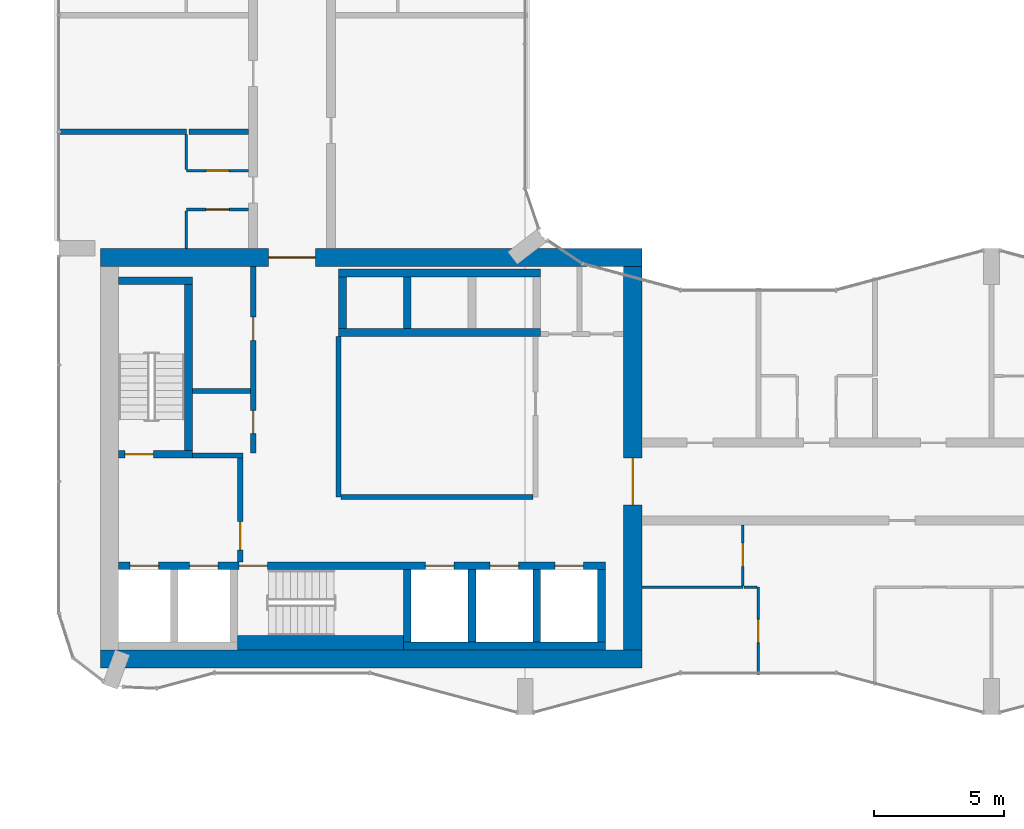
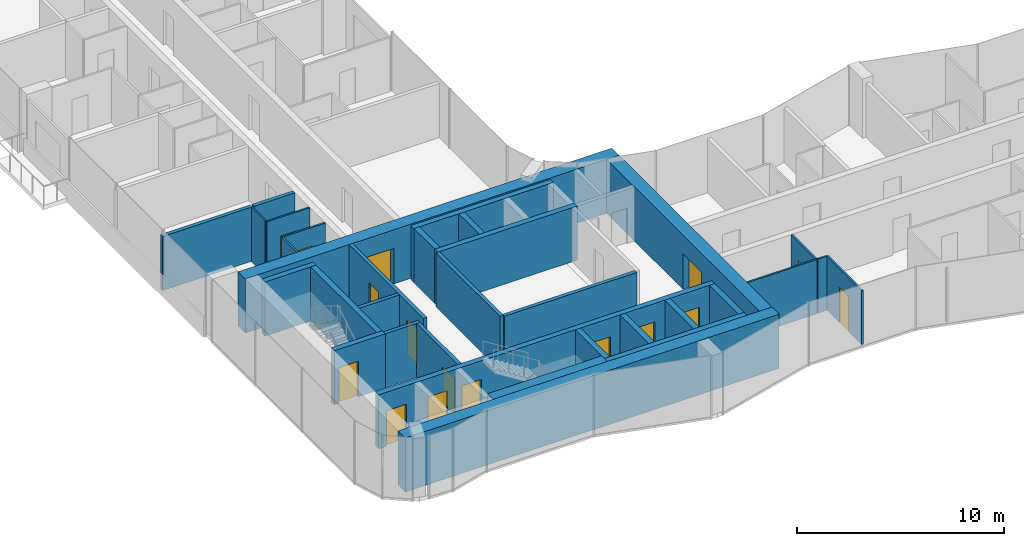
# One storey, part 13 of 22: 33 walls, 16 doors, 16 openings.
"""IFC4 building model written with IfcOpenShell, lengths in metres."""

from ifc_helpers import new_model, si_unit, direction, frame, frame_2d, origin, place, context, subcontext, project, spatial, rectangle, extrude, material, layer, layer_set, type_object, element, fill, save


model = new_model("IFC4")

# Units and contexts
model_context = context("Model", 3, precision=1e-05, world=origin(), true_north=direction((0.0, 1.0)))
body_context = subcontext(model_context, "Body", "Model", "MODEL_VIEW")
ifc_project = project(units=[si_unit("LENGTHUNIT", "METRE"), si_unit("AREAUNIT", "SQUARE_METRE"), si_unit("VOLUMEUNIT", "CUBIC_METRE"), si_unit("PLANEANGLEUNIT", "RADIAN"), si_unit("MASSUNIT", "GRAM", prefix="KILO")], contexts=[model_context])

# Site, building, storey
site_placement = place(None, origin())
site = spatial("IfcSite", under=ifc_project, at=site_placement, CompositionType="ELEMENT")
building_placement = place(site_placement, origin())
building = spatial("IfcBuilding", under=site, at=building_placement, Name="Plateau Cross Towers", CompositionType="ELEMENT")
storey_placement = place(building_placement, frame((0.0, 0.0, 68.800048828125)))
storey = spatial("IfcBuildingStorey", under=building, at=storey_placement, Name="L17", CompositionType="ELEMENT", Elevation=68.800048828125)

# Wall, opening, door
ifc_material_1 = material(Name="Concrete block, plastered both sides", Category="concrete")
ifc_layer_1 = layer(ifc_material_1, 0.199951171875)
ifc_layer_set_1 = layer_set([ifc_layer_1], Name="Concrete block, plastered both sides")
wall_type_1 = type_object("IfcWallType", Name="Core partition 200", PredefinedType="PARTITIONING", material=ifc_layer_set_1)
wall_1_placement = place(storey_placement, frame((7.0, 5.89990234375, 0.0), z_axis=(0.0, 0.0, 1.0), x_axis=(0.0, 1.0, 0.0)))
wall_1 = element("IfcWall", 1, at=wall_1_placement, inside=storey, type_object=wall_type_1, Name="Core partition", PredefinedType="PARTITIONING", context=body_context, shape_type="SweptSolid", body=[
    extrude(rectangle(XDim=4.0, YDim=0.199951171875, at=frame_2d((2.0, 0.0))), origin(), (0.0, 0.0, 1.0), 3.199951171875),
])
opening_1_placement = place(wall_1_placement, frame((0.449951171875, 0.0, 0.0)))
opening_1 = element("IfcOpeningElement", 2, at=opening_1_placement, cuts=wall_1, Name="Opening FFD", PredefinedType="OPENING", context=body_context, shape_type="SweptSolid", body=[
    extrude(rectangle(XDim=1.10009765625, YDim=2.10009765625, at=frame_2d((0.550048828125, 1.050048828125))), frame((0.0, 0.10986328125, 0.0), z_axis=(0.0, -1.0, 0.0), x_axis=(1.0, 0.0, 0.0)), (0.0, 0.0, 1.0), 0.219970703125),
])
ifc_material_2 = material(Name="Steel, fire-resisting leaf", Category="steel")
door_type_1 = type_object("IfcDoorType", Name="Firefighting lobby door 1100", OperationType="NOTDEFINED", PredefinedType="DOOR", material=ifc_material_2)
door_1_placement = place(opening_1_placement, origin())
door_1 = element("IfcDoor", 3, at=door_1_placement, inside=storey, type_object=door_type_1, Name="Firefighting lobby door FFD", OperationType="SINGLE_SWING_LEFT", OverallHeight=2.10009765625, OverallWidth=1.10009765625, PredefinedType="DOOR", context=body_context, shape_type="SweptSolid", body=[
    extrude(rectangle(XDim=1.10009765625, YDim=2.10009765625, at=frame_2d((0.550048828125, 1.050048828125))), frame((0.0, 0.02490234375, 0.0), z_axis=(0.0, -1.0, 0.0), x_axis=(1.0, 0.0, 0.0)), (0.0, 0.0, 1.0), 0.050048828125),
])
fill(opening_1, door_1)

# Walls
wall_2_placement = place(storey_placement, frame((5.14990234375, 10.0, 0.0), z_axis=(0.0, 0.0, 1.0), x_axis=(1.0, 0.0, 0.0)))
element("IfcWall", 4, at=wall_2_placement, inside=storey, type_object=wall_type_1, Name="Core partition", PredefinedType="PARTITIONING", context=body_context, shape_type="SweptSolid", body=[
    extrude(rectangle(XDim=1.9501953125, YDim=0.199951171875, at=frame_2d((0.97509765625, 0.0))), origin(), (0.0, 0.0, 1.0), 3.199951171875),
])
wall_3_placement = place(storey_placement, frame((10.800048828125, 8.39990234375, 0.0), z_axis=(0.0, 0.0, 1.0), x_axis=(0.0, 1.0, 0.0)))
element("IfcWall", 5, at=wall_3_placement, inside=storey, type_object=wall_type_1, Name="Core partition", PredefinedType="PARTITIONING", context=body_context, shape_type="SweptSolid", body=[
    extrude(rectangle(XDim=6.2001953125, YDim=0.199951171875, at=frame_2d((3.10009765625, 0.0))), origin(), (0.0, 0.0, 1.0), 3.199951171875),
])
wall_4_placement = place(storey_placement, frame((10.89990234375, 8.39990234375, 0.0), z_axis=(0.0, 0.0, 1.0), x_axis=(1.0, 0.0, 0.0)))
element("IfcWall", 6, at=wall_4_placement, inside=storey, type_object=wall_type_1, Name="Core partition", PredefinedType="PARTITIONING", context=body_context, shape_type="SweptSolid", body=[
    extrude(rectangle(XDim=7.400146484375, YDim=0.199951171875, at=frame_2d((3.7001953125, 0.0))), origin(), (0.0, 0.0, 1.0), 3.199951171875),
])

# Wall, openings, doors
wall_5_placement = place(storey_placement, frame((7.5, 10.10009765625, 0.0), z_axis=(0.0, 0.0, 1.0), x_axis=(0.0, 1.0, 0.0)))
wall_5 = element("IfcWall", 7, at=wall_5_placement, inside=storey, type_object=wall_type_1, Name="Core partition", PredefinedType="PARTITIONING", context=body_context, shape_type="SweptSolid", body=[
    extrude(rectangle(XDim=7.199951171875, YDim=0.199951171875, at=frame_2d((3.60009765625, 0.0))), origin(), (0.0, 0.0, 1.0), 3.199951171875),
])
opening_2_placement = place(wall_5_placement, frame((0.75, 0.0, 0.0)))
opening_2 = element("IfcOpeningElement", 8, at=opening_2_placement, cuts=wall_5, Name="Opening RD1", PredefinedType="OPENING", context=body_context, shape_type="SweptSolid", body=[
    extrude(rectangle(XDim=0.89990234375, YDim=2.10009765625, at=frame_2d((0.449951171875, 1.050048828125))), frame((0.0, 0.10986328125, 0.0), z_axis=(0.0, -1.0, 0.0), x_axis=(1.0, 0.0, 0.0)), (0.0, 0.0, 1.0), 0.219970703125),
])
opening_3_placement = place(wall_5_placement, frame((4.35009765625, 0.0, 0.0)))
opening_3 = element("IfcOpeningElement", 9, at=opening_3_placement, cuts=wall_5, Name="Opening RD1", PredefinedType="OPENING", context=body_context, shape_type="SweptSolid", body=[
    extrude(rectangle(XDim=0.89990234375, YDim=2.10009765625, at=frame_2d((0.449951171875, 1.050048828125))), frame((0.0, 0.10986328125, 0.0), z_axis=(0.0, -1.0, 0.0), x_axis=(1.0, 0.0, 0.0)), (0.0, 0.0, 1.0), 0.219970703125),
])
ifc_material_3 = material(Name="Timber, fire-resisting leaf", Category="wood")
door_type_2 = type_object("IfcDoorType", Name="Core service door 900", OperationType="NOTDEFINED", PredefinedType="DOOR", material=ifc_material_3)
door_2_placement = place(opening_2_placement, origin())
door_2 = element("IfcDoor", 10, at=door_2_placement, inside=storey, type_object=door_type_2, Name="Core service door RD1", OperationType="SINGLE_SWING_RIGHT", OverallHeight=2.10009765625, OverallWidth=0.89990234375, PredefinedType="DOOR", context=body_context, shape_type="SweptSolid", body=[
    extrude(rectangle(XDim=0.89990234375, YDim=2.10009765625, at=frame_2d((0.449951171875, 1.050048828125))), frame((0.0, 0.02490234375, 0.0), z_axis=(0.0, -1.0, 0.0), x_axis=(1.0, 0.0, 0.0)), (0.0, 0.0, 1.0), 0.050048828125),
])
fill(opening_2, door_2)
door_3_placement = place(opening_3_placement, origin())
door_3 = element("IfcDoor", 11, at=door_3_placement, inside=storey, type_object=door_type_2, Name="Core service door RD1", OperationType="SINGLE_SWING_RIGHT", OverallHeight=2.10009765625, OverallWidth=0.89990234375, PredefinedType="DOOR", context=body_context, shape_type="SweptSolid", body=[
    extrude(rectangle(XDim=0.89990234375, YDim=2.10009765625, at=frame_2d((0.449951171875, 1.050048828125))), frame((0.0, 0.02490234375, 0.0), z_axis=(0.0, -1.0, 0.0), x_axis=(1.0, 0.0, 0.0)), (0.0, 0.0, 1.0), 0.050048828125),
])
fill(opening_3, door_3)

# Walls
wall_6_placement = place(storey_placement, frame((5.14990234375, 12.5, 0.0), z_axis=(0.0, 0.0, 1.0), x_axis=(1.0, 0.0, 0.0)))
element("IfcWall", 12, at=wall_6_placement, inside=storey, type_object=wall_type_1, Name="Core partition", PredefinedType="PARTITIONING", context=body_context, shape_type="SweptSolid", body=[
    extrude(rectangle(XDim=2.25, YDim=0.199951171875, at=frame_2d((1.125, 0.0))), origin(), (0.0, 0.0, 1.0), 3.199951171875),
])
ifc_material_4 = material(Name="Concrete C60/75", Category="concrete")
ifc_layer_2 = layer(ifc_material_4, 0.300048828125)
ifc_layer_set_2 = layer_set([ifc_layer_2], Name="Concrete C60/75")
wall_type_2 = type_object("IfcWallType", Name="Core shaft wall 300", PredefinedType="SHEAR", material=ifc_layer_set_2)
wall_7_placement = place(storey_placement, frame((13.300048828125, 2.64990234375, 0.0), z_axis=(0.0, 0.0, 1.0), x_axis=(1.0, 0.0, 0.0)))
element("IfcWall", 13, at=wall_7_placement, inside=storey, type_object=wall_type_2, Name="A-sb-back3@L17", PredefinedType="SHEAR", context=body_context, shape_type="SweptSolid", body=[
    extrude(rectangle(XDim=7.800048828125, YDim=0.300048828125, at=frame_2d((3.89990234375, 0.0))), origin(), (0.0, 0.0, 1.0), 3.199951171875),
])
for number, where, z_axis, x_axis, name in (
    (14, (13.449951171875, 2.800048828125, 0.0), (0.0, 0.0, 1.0), (0.0, 1.0, 0.0), "A-sb-v3@L17"),
    (15, (15.949951171875, 2.800048828125, 0.0), (0.0, 0.0, 1.0), (0.0, 1.0, 0.0), "A-sb-v4@L17"),
    (16, (18.449951171875, 2.800048828125, 0.0), (0.0, 0.0, 1.0), (0.0, 1.0, 0.0), "A-sb-v5@L17"),
    (17, (20.949951171875, 2.800048828125, 0.0), (0.0, 0.0, 1.0), (0.0, 1.0, 0.0), "A-sb-v6@L17"),
):
    element("IfcWall", number, at=place(storey_placement, frame(where, z_axis=z_axis, x_axis=x_axis)), inside=storey, type_object=wall_type_2, Name=name, PredefinedType="SHEAR", context=body_context, shape_type="SweptSolid", body=[
        extrude(rectangle(XDim=2.800048828125, YDim=0.300048828125, at=frame_2d((1.39990234375, 0.0))), origin(), (0.0, 0.0, 1.0), 3.199951171875),
    ])

# Wall, openings, doors
wall_8_placement = place(storey_placement, frame((2.300048828125, 5.75, 0.0), z_axis=(0.0, 0.0, 1.0), x_axis=(1.0, 0.0, 0.0)))
wall_8 = element("IfcWall", 18, at=wall_8_placement, inside=storey, type_object=wall_type_2, Name="A-sb-front@L17", PredefinedType="SHEAR", context=body_context, shape_type="SweptSolid", body=[
    extrude(rectangle(XDim=18.800048828125, YDim=0.300048828125, at=frame_2d((9.39990234375, 0.0))), origin(), (0.0, 0.0, 1.0), 3.199951171875),
])
opening_4_placement = place(wall_8_placement, frame((4.64990234375, 0.0, 0.0)))
opening_4 = element("IfcOpeningElement", 19, at=opening_4_placement, cuts=wall_8, Name="Opening SD", PredefinedType="OPENING", context=body_context, shape_type="SweptSolid", body=[
    extrude(rectangle(XDim=1.10009765625, YDim=2.10009765625, at=frame_2d((0.550048828125, 1.050048828125))), frame((0.0, 0.159912109375, 0.0), z_axis=(0.0, -1.0, 0.0), x_axis=(1.0, 0.0, 0.0)), (0.0, 0.0, 1.0), 0.320068359375),
])
opening_5_placement = place(wall_8_placement, frame((0.449951171875, 0.0, 0.0)))
opening_5 = element("IfcOpeningElement", 20, at=opening_5_placement, cuts=wall_8, Name="Opening LD", PredefinedType="OPENING", context=body_context, shape_type="SweptSolid", body=[
    extrude(rectangle(XDim=1.10009765625, YDim=2.10009765625, at=frame_2d((0.550048828125, 1.050048828125))), frame((0.0, 0.159912109375, 0.0), z_axis=(0.0, -1.0, 0.0), x_axis=(1.0, 0.0, 0.0)), (0.0, 0.0, 1.0), 0.320068359375),
])
opening_6_placement = place(wall_8_placement, frame((2.75, 0.0, 0.0)))
opening_6 = element("IfcOpeningElement", 21, at=opening_6_placement, cuts=wall_8, Name="Opening LD", PredefinedType="OPENING", context=body_context, shape_type="SweptSolid", body=[
    extrude(rectangle(XDim=1.10009765625, YDim=2.10009765625, at=frame_2d((0.550048828125, 1.050048828125))), frame((0.0, 0.159912109375, 0.0), z_axis=(0.0, -1.0, 0.0), x_axis=(1.0, 0.0, 0.0)), (0.0, 0.0, 1.0), 0.320068359375),
])
opening_7_placement = place(wall_8_placement, frame((11.85009765625, 0.0, 0.0)))
opening_7 = element("IfcOpeningElement", 22, at=opening_7_placement, cuts=wall_8, Name="Opening LD", PredefinedType="OPENING", context=body_context, shape_type="SweptSolid", body=[
    extrude(rectangle(XDim=1.10009765625, YDim=2.10009765625, at=frame_2d((0.550048828125, 1.050048828125))), frame((0.0, 0.159912109375, 0.0), z_axis=(0.0, -1.0, 0.0), x_axis=(1.0, 0.0, 0.0)), (0.0, 0.0, 1.0), 0.320068359375),
])
opening_8_placement = place(wall_8_placement, frame((14.35009765625, 0.0, 0.0)))
opening_8 = element("IfcOpeningElement", 23, at=opening_8_placement, cuts=wall_8, Name="Opening LD", PredefinedType="OPENING", context=body_context, shape_type="SweptSolid", body=[
    extrude(rectangle(XDim=1.10009765625, YDim=2.10009765625, at=frame_2d((0.550048828125, 1.050048828125))), frame((0.0, 0.159912109375, 0.0), z_axis=(0.0, -1.0, 0.0), x_axis=(1.0, 0.0, 0.0)), (0.0, 0.0, 1.0), 0.320068359375),
])
opening_9_placement = place(wall_8_placement, frame((16.85009765625, 0.0, 0.0)))
opening_9 = element("IfcOpeningElement", 24, at=opening_9_placement, cuts=wall_8, Name="Opening LD", PredefinedType="OPENING", context=body_context, shape_type="SweptSolid", body=[
    extrude(rectangle(XDim=1.10009765625, YDim=2.10009765625, at=frame_2d((0.550048828125, 1.050048828125))), frame((0.0, 0.159912109375, 0.0), z_axis=(0.0, -1.0, 0.0), x_axis=(1.0, 0.0, 0.0)), (0.0, 0.0, 1.0), 0.320068359375),
])
ifc_material_5 = material(Name="Stainless steel, fire-resisting sliding leaves", Category="steel")
door_type_3 = type_object("IfcDoorType", Name="Lift landing door 1100", OperationType="NOTDEFINED", PredefinedType="DOOR", material=ifc_material_5)
door_4_placement = place(opening_5_placement, origin())
door_4 = element("IfcDoor", 25, at=door_4_placement, inside=storey, type_object=door_type_3, Name="Lift landing door LD", OperationType="DOUBLE_DOOR_SLIDING", OverallHeight=2.10009765625, OverallWidth=1.10009765625, PredefinedType="DOOR", context=body_context, shape_type="SweptSolid", body=[
    extrude(rectangle(XDim=1.10009765625, YDim=2.10009765625, at=frame_2d((0.550048828125, 1.050048828125))), frame((0.0, 0.02490234375, 0.0), z_axis=(0.0, -1.0, 0.0), x_axis=(1.0, 0.0, 0.0)), (0.0, 0.0, 1.0), 0.050048828125),
])
fill(opening_5, door_4)
door_5_placement = place(opening_6_placement, origin())
door_5 = element("IfcDoor", 26, at=door_5_placement, inside=storey, type_object=door_type_3, Name="Lift landing door LD", OperationType="DOUBLE_DOOR_SLIDING", OverallHeight=2.10009765625, OverallWidth=1.10009765625, PredefinedType="DOOR", context=body_context, shape_type="SweptSolid", body=[
    extrude(rectangle(XDim=1.10009765625, YDim=2.10009765625, at=frame_2d((0.550048828125, 1.050048828125))), frame((0.0, 0.02490234375, 0.0), z_axis=(0.0, -1.0, 0.0), x_axis=(1.0, 0.0, 0.0)), (0.0, 0.0, 1.0), 0.050048828125),
])
fill(opening_6, door_5)
door_6_placement = place(opening_7_placement, origin())
door_6 = element("IfcDoor", 27, at=door_6_placement, inside=storey, type_object=door_type_3, Name="Lift landing door LD", OperationType="DOUBLE_DOOR_SLIDING", OverallHeight=2.10009765625, OverallWidth=1.10009765625, PredefinedType="DOOR", context=body_context, shape_type="SweptSolid", body=[
    extrude(rectangle(XDim=1.10009765625, YDim=2.10009765625, at=frame_2d((0.550048828125, 1.050048828125))), frame((0.0, 0.02490234375, 0.0), z_axis=(0.0, -1.0, 0.0), x_axis=(1.0, 0.0, 0.0)), (0.0, 0.0, 1.0), 0.050048828125),
])
fill(opening_7, door_6)
door_7_placement = place(opening_8_placement, origin())
door_7 = element("IfcDoor", 28, at=door_7_placement, inside=storey, type_object=door_type_3, Name="Lift landing door LD", OperationType="DOUBLE_DOOR_SLIDING", OverallHeight=2.10009765625, OverallWidth=1.10009765625, PredefinedType="DOOR", context=body_context, shape_type="SweptSolid", body=[
    extrude(rectangle(XDim=1.10009765625, YDim=2.10009765625, at=frame_2d((0.550048828125, 1.050048828125))), frame((0.0, 0.02490234375, 0.0), z_axis=(0.0, -1.0, 0.0), x_axis=(1.0, 0.0, 0.0)), (0.0, 0.0, 1.0), 0.050048828125),
])
fill(opening_8, door_7)
door_8_placement = place(opening_9_placement, origin())
door_8 = element("IfcDoor", 29, at=door_8_placement, inside=storey, type_object=door_type_3, Name="Lift landing door LD", OperationType="DOUBLE_DOOR_SLIDING", OverallHeight=2.10009765625, OverallWidth=1.10009765625, PredefinedType="DOOR", context=body_context, shape_type="SweptSolid", body=[
    extrude(rectangle(XDim=1.10009765625, YDim=2.10009765625, at=frame_2d((0.550048828125, 1.050048828125))), frame((0.0, 0.02490234375, 0.0), z_axis=(0.0, -1.0, 0.0), x_axis=(1.0, 0.0, 0.0)), (0.0, 0.0, 1.0), 0.050048828125),
])
fill(opening_9, door_8)
door_type_4 = type_object("IfcDoorType", Name="Stair door 1100", OperationType="NOTDEFINED", PredefinedType="DOOR", material=ifc_material_2)
door_9_placement = place(opening_4_placement, origin())
door_9 = element("IfcDoor", 30, at=door_9_placement, inside=storey, type_object=door_type_4, Name="Stair door SD", OperationType="SINGLE_SWING_LEFT", OverallHeight=2.10009765625, OverallWidth=1.10009765625, PredefinedType="DOOR", context=body_context, shape_type="SweptSolid", body=[
    extrude(rectangle(XDim=1.10009765625, YDim=2.10009765625, at=frame_2d((0.550048828125, 1.050048828125))), frame((0.0, 0.02490234375, 0.0), z_axis=(0.0, -1.0, 0.0), x_axis=(1.0, 0.0, 0.0)), (0.0, 0.0, 1.0), 0.050048828125),
])
fill(opening_4, door_9)

# Wall, opening, door
wall_9_placement = place(storey_placement, frame((2.300048828125, 10.050048828125, 0.0), z_axis=(0.0, 0.0, 1.0), x_axis=(1.0, 0.0, 0.0)))
wall_9 = element("IfcWall", 31, at=wall_9_placement, inside=storey, type_object=wall_type_2, Name="A-st1-S@L17", PredefinedType="SHEAR", context=body_context, shape_type="SweptSolid", body=[
    extrude(rectangle(XDim=2.849853515625, YDim=0.300048828125, at=frame_2d((1.4248046875, 0.0))), origin(), (0.0, 0.0, 1.0), 3.199951171875),
])
opening_10_placement = place(wall_9_placement, frame((0.25, 0.0, 0.0)))
opening_10 = element("IfcOpeningElement", 32, at=opening_10_placement, cuts=wall_9, Name="Opening SD", PredefinedType="OPENING", context=body_context, shape_type="SweptSolid", body=[
    extrude(rectangle(XDim=1.10009765625, YDim=2.10009765625, at=frame_2d((0.550048828125, 1.050048828125))), frame((0.0, 0.159912109375, 0.0), z_axis=(0.0, -1.0, 0.0), x_axis=(1.0, 0.0, 0.0)), (0.0, 0.0, 1.0), 0.320068359375),
])
door_10_placement = place(opening_10_placement, origin())
door_10 = element("IfcDoor", 33, at=door_10_placement, inside=storey, type_object=door_type_4, Name="Stair door SD", OperationType="SINGLE_SWING_RIGHT", OverallHeight=2.10009765625, OverallWidth=1.10009765625, PredefinedType="DOOR", context=body_context, shape_type="SweptSolid", body=[
    extrude(rectangle(XDim=1.10009765625, YDim=2.10009765625, at=frame_2d((0.550048828125, 1.050048828125))), frame((0.0, 0.02490234375, 0.0), z_axis=(0.0, -1.0, 0.0), x_axis=(1.0, 0.0, 0.0)), (0.0, 0.0, 1.0), 0.050048828125),
])
fill(opening_10, door_10)

# Walls
wall_10_placement = place(storey_placement, frame((5.0, 10.199951171875, 0.0), z_axis=(0.0, 0.0, 1.0), x_axis=(0.0, 1.0, 0.0)))
element("IfcWall", 34, at=wall_10_placement, inside=storey, type_object=wall_type_2, Name="A-st1-E@L17", PredefinedType="SHEAR", context=body_context, shape_type="SweptSolid", body=[
    extrude(rectangle(XDim=6.400146484375, YDim=0.300048828125, at=frame_2d((3.2001953125, 0.0))), origin(), (0.0, 0.0, 1.0), 3.199951171875),
])
wall_11_placement = place(storey_placement, frame((2.300048828125, 16.75, 0.0), z_axis=(0.0, 0.0, 1.0), x_axis=(1.0, 0.0, 0.0)))
element("IfcWall", 35, at=wall_11_placement, inside=storey, type_object=wall_type_2, Name="A-st1-N@L17", PredefinedType="SHEAR", context=body_context, shape_type="SweptSolid", body=[
    extrude(rectangle(XDim=2.849853515625, YDim=0.300048828125, at=frame_2d((1.4248046875, 0.0))), origin(), (0.0, 0.0, 1.0), 3.199951171875),
])
for number, where, z_axis, x_axis, name in (
    (36, (10.800048828125, 17.050048828125, 0.0), (0.0, 0.0, 1.0), (1.0, 0.0, 0.0), "A-nb-back@L17"),
    (37, (10.800048828125, 14.75, 0.0), (0.0, 0.0, 1.0), (1.0, 0.0, 0.0), "A-nb-front@L17"),
):
    element("IfcWall", number, at=place(storey_placement, frame(where, z_axis=z_axis, x_axis=x_axis)), inside=storey, type_object=wall_type_2, Name=name, PredefinedType="SHEAR", context=body_context, shape_type="SweptSolid", body=[
        extrude(rectangle(XDim=7.800048828125, YDim=0.300048828125, at=frame_2d((3.89990234375, 0.0))), origin(), (0.0, 0.0, 1.0), 3.199951171875),
    ])
for number, where, z_axis, x_axis, name in (
    (38, (10.949951171875, 14.89990234375, 0.0), (0.0, 0.0, 1.0), (0.0, 1.0, 0.0), "A-nb-v1@L17"),
    (39, (13.449951171875, 14.89990234375, 0.0), (0.0, 0.0, 1.0), (0.0, 1.0, 0.0), "A-nb-v2@L17"),
):
    element("IfcWall", number, at=place(storey_placement, frame(where, z_axis=z_axis, x_axis=x_axis)), inside=storey, type_object=wall_type_2, Name=name, PredefinedType="SHEAR", context=body_context, shape_type="SweptSolid", body=[
        extrude(rectangle(XDim=2.0, YDim=0.300048828125, at=frame_2d((1.0, 0.0))), origin(), (0.0, 0.0, 1.0), 3.199951171875),
    ])
ifc_layer_3 = layer(ifc_material_4, 0.550048828125)
ifc_layer_set_3 = layer_set([ifc_layer_3], Name="Concrete C60/75")
wall_type_3 = type_object("IfcWallType", Name="Core shaft wall 550", PredefinedType="SHEAR", material=ifc_layer_set_3)
wall_12_placement = place(storey_placement, frame((6.89990234375, 2.77490234375, 0.0), z_axis=(0.0, 0.0, 1.0), x_axis=(1.0, 0.0, 0.0)))
element("IfcWall", 40, at=wall_12_placement, inside=storey, type_object=wall_type_3, Name="A-sb-back2@L17", PredefinedType="SHEAR", context=body_context, shape_type="SweptSolid", body=[
    extrude(rectangle(XDim=6.400146484375, YDim=0.550048828125, at=frame_2d((3.2001953125, 0.0))), origin(), (0.0, 0.0, 1.0), 3.199951171875),
])
ifc_layer_4 = layer(ifc_material_4, 0.699951171875)
ifc_layer_set_4 = layer_set([ifc_layer_4], Name="Concrete C60/75")
wall_type_4 = type_object("IfcWallType", Name="Core shell wall 700", PredefinedType="SHEAR", material=ifc_layer_set_4)
wall_13_placement = place(storey_placement, frame((1.60009765625, 2.14990234375, 0.0), z_axis=(0.0, 0.0, 1.0), x_axis=(1.0, 0.0, 0.0)))
element("IfcWall", 41, at=wall_13_placement, inside=storey, type_object=wall_type_4, Name="A-core-S@L17", PredefinedType="SHEAR", context=body_context, shape_type="SweptSolid", body=[
    extrude(rectangle(XDim=20.89990234375, YDim=0.699951171875, at=frame_2d((10.449951171875, 0.0))), origin(), (0.0, 0.0, 1.0), 3.199951171875),
])

# Wall, opening, door
wall_14_placement = place(storey_placement, frame((1.60009765625, 17.64990234375, 0.0), z_axis=(0.0, 0.0, 1.0), x_axis=(1.0, 0.0, 0.0)))
wall_14 = element("IfcWall", 42, at=wall_14_placement, inside=storey, type_object=wall_type_4, Name="A-core-N@L17", PredefinedType="SHEAR", context=body_context, shape_type="SweptSolid", body=[
    extrude(rectangle(XDim=20.89990234375, YDim=0.699951171875, at=frame_2d((10.449951171875, 0.0))), origin(), (0.0, 0.0, 1.0), 3.199951171875),
])
opening_11_placement = place(wall_14_placement, frame((6.5, 0.0, 0.0)))
opening_11 = element("IfcOpeningElement", 43, at=opening_11_placement, cuts=wall_14, Name="Opening CD", PredefinedType="OPENING", context=body_context, shape_type="SweptSolid", body=[
    extrude(rectangle(XDim=1.800048828125, YDim=2.10009765625, at=frame_2d((0.89990234375, 1.050048828125))), frame((0.0, 0.35986328125, 0.0), z_axis=(0.0, -1.0, 0.0), x_axis=(1.0, 0.0, 0.0)), (0.0, 0.0, 1.0), 0.719970703125),
])
ifc_material_6 = material(Name="Steel, fire-resisting leaves", Category="steel")
door_type_5 = type_object("IfcDoorType", Name="Corridor door pair 1800", OperationType="NOTDEFINED", PredefinedType="DOOR", material=ifc_material_6)
door_11_placement = place(opening_11_placement, origin())
door_11 = element("IfcDoor", 44, at=door_11_placement, inside=storey, type_object=door_type_5, Name="Corridor door pair CD", OperationType="DOUBLE_DOOR_SINGLE_SWING", OverallHeight=2.10009765625, OverallWidth=1.800048828125, PredefinedType="DOOR", context=body_context, shape_type="SweptSolid", body=[
    extrude(rectangle(XDim=1.800048828125, YDim=2.10009765625, at=frame_2d((0.89990234375, 1.050048828125))), frame((0.0, 0.02490234375, 0.0), z_axis=(0.0, -1.0, 0.0), x_axis=(1.0, 0.0, 0.0)), (0.0, 0.0, 1.0), 0.050048828125),
])
fill(opening_11, door_11)

wall_15_placement = place(storey_placement, frame((22.14990234375, 2.5, 0.0), z_axis=(0.0, 0.0, 1.0), x_axis=(0.0, 1.0, 0.0)))
wall_15 = element("IfcWall", 45, at=wall_15_placement, inside=storey, type_object=wall_type_4, Name="A-core-E@L17", PredefinedType="SHEAR", context=body_context, shape_type="SweptSolid", body=[
    extrude(rectangle(XDim=14.800048828125, YDim=0.699951171875, at=frame_2d((7.39990234375, 0.0))), origin(), (0.0, 0.0, 1.0), 3.199951171875),
])
opening_12_placement = place(wall_15_placement, frame((5.60009765625, 0.0, 0.0)))
opening_12 = element("IfcOpeningElement", 46, at=opening_12_placement, cuts=wall_15, Name="Opening CD", PredefinedType="OPENING", context=body_context, shape_type="SweptSolid", body=[
    extrude(rectangle(XDim=1.800048828125, YDim=2.10009765625, at=frame_2d((0.89990234375, 1.050048828125))), frame((0.0, 0.35986328125, 0.0), z_axis=(0.0, -1.0, 0.0), x_axis=(1.0, 0.0, 0.0)), (0.0, 0.0, 1.0), 0.719970703125),
])
door_12_placement = place(opening_12_placement, origin())
door_12 = element("IfcDoor", 47, at=door_12_placement, inside=storey, type_object=door_type_5, Name="Corridor door pair CD", OperationType="DOUBLE_DOOR_SINGLE_SWING", OverallHeight=2.10009765625, OverallWidth=1.800048828125, PredefinedType="DOOR", context=body_context, shape_type="SweptSolid", body=[
    extrude(rectangle(XDim=1.800048828125, YDim=2.10009765625, at=frame_2d((0.89990234375, 1.050048828125))), frame((0.0, 0.02490234375, 0.0), z_axis=(0.0, -1.0, 0.0), x_axis=(1.0, 0.0, 0.0)), (0.0, 0.0, 1.0), 0.050048828125),
])
fill(opening_12, door_12)

# Walls
ifc_material_7 = material(Name="Gypsum board on steel studs", Category="steel")
ifc_layer_5 = layer(ifc_material_7, 0.10009765625)
ifc_layer_set_5 = layer_set([ifc_layer_5], Name="Gypsum board on steel studs")
wall_type_5 = type_object("IfcWallType", Name="Flat partition 100", PredefinedType="PARTITIONING", material=ifc_layer_set_5)
wall_16_placement = place(storey_placement, frame((26.949951171875, 4.925048828125, 0.0), z_axis=(0.0, 0.0, 1.0), x_axis=(-1.0, 0.0, 0.0)))
element("IfcWall", 48, at=wall_16_placement, inside=storey, type_object=wall_type_5, Name="Partition wall", PredefinedType="PARTITIONING", context=body_context, shape_type="SweptSolid", body=[
    extrude(rectangle(XDim=0.5, YDim=0.10009765625, at=frame_2d((0.25, 0.0))), origin(), (0.0, 0.0, 1.0), 3.199951171875),
])
wall_17_placement = place(storey_placement, frame((22.5, 4.925048828125, 0.0), z_axis=(0.0, 0.0, 1.0), x_axis=(1.0, 0.0, 0.0)))
element("IfcWall", 49, at=wall_17_placement, inside=storey, type_object=wall_type_5, Name="Partition wall", PredefinedType="PARTITIONING", context=body_context, shape_type="SweptSolid", body=[
    extrude(rectangle(XDim=3.89990234375, YDim=0.10009765625, at=frame_2d((1.949951171875, 0.0))), origin(), (0.0, 0.0, 1.0), 3.199951171875),
])

# Wall, opening, door
wall_18_placement = place(storey_placement, frame((7.324951171875, 19.5, 0.0), z_axis=(0.0, 0.0, 1.0), x_axis=(-1.0, 0.0, 0.0)))
wall_18 = element("IfcWall", 50, at=wall_18_placement, inside=storey, type_object=wall_type_5, Name="Partition wall", PredefinedType="PARTITIONING", context=body_context, shape_type="SweptSolid", body=[
    extrude(rectangle(XDim=2.39990234375, YDim=0.10009765625, at=frame_2d((1.199951171875, 0.0))), origin(), (0.0, 0.0, 1.0), 3.199951171875),
])
opening_13_placement = place(wall_18_placement, frame((0.75, 0.0, 0.0)))
opening_13 = element("IfcOpeningElement", 51, at=opening_13_placement, cuts=wall_18, Name="Opening 17-29", PredefinedType="OPENING", context=body_context, shape_type="SweptSolid", body=[
    extrude(rectangle(XDim=0.89990234375, YDim=2.10009765625, at=frame_2d((0.449951171875, 1.050048828125))), frame((0.0, 0.06005859375, 0.0), z_axis=(0.0, -1.0, 0.0), x_axis=(1.0, 0.0, 0.0)), (0.0, 0.0, 1.0), 0.1201171875),
])
ifc_material_8 = material(Name="Timber leaf", Category="wood")
door_type_6 = type_object("IfcDoorType", Name="Flat room door 900", OperationType="NOTDEFINED", PredefinedType="DOOR", material=ifc_material_8)
door_13_placement = place(opening_13_placement, origin())
door_13 = element("IfcDoor", 52, at=door_13_placement, inside=storey, type_object=door_type_6, Name="Door 17-29", OperationType="SINGLE_SWING_LEFT", OverallHeight=2.10009765625, OverallWidth=0.89990234375, PredefinedType="DOOR", context=body_context, shape_type="SweptSolid", body=[
    extrude(rectangle(XDim=0.89990234375, YDim=2.10009765625, at=frame_2d((0.449951171875, 1.050048828125))), frame((0.0, 0.02490234375, 0.0), z_axis=(0.0, -1.0, 0.0), x_axis=(1.0, 0.0, 0.0)), (0.0, 0.0, 1.0), 0.050048828125),
])
fill(opening_13, door_13)

wall_19_placement = place(storey_placement, frame((4.925048828125, 21.0, 0.0), z_axis=(0.0, 0.0, 1.0), x_axis=(1.0, 0.0, 0.0)))
wall_19 = element("IfcWall", 53, at=wall_19_placement, inside=storey, type_object=wall_type_5, Name="Partition wall", PredefinedType="PARTITIONING", context=body_context, shape_type="SweptSolid", body=[
    extrude(rectangle(XDim=2.39990234375, YDim=0.10009765625, at=frame_2d((1.199951171875, 0.0))), origin(), (0.0, 0.0, 1.0), 3.199951171875),
])
opening_14_placement = place(wall_19_placement, frame((0.75, 0.0, 0.0)))
opening_14 = element("IfcOpeningElement", 54, at=opening_14_placement, cuts=wall_19, Name="Opening 17-30", PredefinedType="OPENING", context=body_context, shape_type="SweptSolid", body=[
    extrude(rectangle(XDim=0.89990234375, YDim=2.10009765625, at=frame_2d((0.449951171875, 1.050048828125))), frame((0.0, 0.06005859375, 0.0), z_axis=(0.0, -1.0, 0.0), x_axis=(1.0, 0.0, 0.0)), (0.0, 0.0, 1.0), 0.1201171875),
])
door_14_placement = place(opening_14_placement, origin())
door_14 = element("IfcDoor", 55, at=door_14_placement, inside=storey, type_object=door_type_6, Name="Door 17-30", OperationType="SINGLE_SWING_LEFT", OverallHeight=2.10009765625, OverallWidth=0.89990234375, PredefinedType="DOOR", context=body_context, shape_type="SweptSolid", body=[
    extrude(rectangle(XDim=0.89990234375, YDim=2.10009765625, at=frame_2d((0.449951171875, 1.050048828125))), frame((0.0, 0.02490234375, 0.0), z_axis=(0.0, -1.0, 0.0), x_axis=(1.0, 0.0, 0.0)), (0.0, 0.0, 1.0), 0.050048828125),
])
fill(opening_14, door_14)

# Walls
wall_20_placement = place(storey_placement, frame((4.925048828125, 19.449951171875, 0.0), z_axis=(0.0, 0.0, 1.0), x_axis=(0.0, -1.0, 0.0)))
element("IfcWall", 56, at=wall_20_placement, inside=storey, type_object=wall_type_5, Name="Partition wall", PredefinedType="PARTITIONING", context=body_context, shape_type="SweptSolid", body=[
    extrude(rectangle(XDim=1.449951171875, YDim=0.10009765625, at=frame_2d((0.72509765625, 0.0))), origin(), (0.0, 0.0, 1.0), 3.199951171875),
])
wall_21_placement = place(storey_placement, frame((4.925048828125, 22.39990234375, 0.0), z_axis=(0.0, 0.0, 1.0), x_axis=(0.0, -1.0, 0.0)))
element("IfcWall", 57, at=wall_21_placement, inside=storey, type_object=wall_type_5, Name="Partition wall", PredefinedType="PARTITIONING", context=body_context, shape_type="SweptSolid", body=[
    extrude(rectangle(XDim=1.349853515625, YDim=0.10009765625, at=frame_2d((0.6748046875, 0.0))), origin(), (0.0, 0.0, 1.0), 3.199951171875),
])

# Wall, opening, door
wall_22_placement = place(storey_placement, frame((26.39990234375, 4.97509765625, 0.0), z_axis=(0.0, 0.0, 1.0), x_axis=(0.0, 1.0, 0.0)))
wall_22 = element("IfcWall", 58, at=wall_22_placement, inside=storey, type_object=wall_type_5, Name="Partition wall", PredefinedType="PARTITIONING", context=body_context, shape_type="SweptSolid", body=[
    extrude(rectangle(XDim=2.349853515625, YDim=0.10009765625, at=frame_2d((1.1748046875, 0.0))), origin(), (0.0, 0.0, 1.0), 3.199951171875),
])
opening_15_placement = place(wall_22_placement, frame((0.75, 0.0, 0.0)))
opening_15 = element("IfcOpeningElement", 59, at=opening_15_placement, cuts=wall_22, Name="Opening 17-17", PredefinedType="OPENING", context=body_context, shape_type="SweptSolid", body=[
    extrude(rectangle(XDim=0.89990234375, YDim=2.10009765625, at=frame_2d((0.449951171875, 1.050048828125))), frame((0.0, 0.06005859375, 0.0), z_axis=(0.0, -1.0, 0.0), x_axis=(1.0, 0.0, 0.0)), (0.0, 0.0, 1.0), 0.1201171875),
])
door_15_placement = place(opening_15_placement, origin())
door_15 = element("IfcDoor", 60, at=door_15_placement, inside=storey, type_object=door_type_6, Name="Door 17-17", OperationType="SINGLE_SWING_RIGHT", OverallHeight=2.10009765625, OverallWidth=0.89990234375, PredefinedType="DOOR", context=body_context, shape_type="SweptSolid", body=[
    extrude(rectangle(XDim=0.89990234375, YDim=2.10009765625, at=frame_2d((0.449951171875, 1.050048828125))), frame((0.0, 0.02490234375, 0.0), z_axis=(0.0, -1.0, 0.0), x_axis=(1.0, 0.0, 0.0)), (0.0, 0.0, 1.0), 0.050048828125),
])
fill(opening_15, door_15)

wall_23_placement = place(storey_placement, frame((27.0, 1.52685546875, 0.0), z_axis=(0.0, 0.0, 1.0), x_axis=(0.0, 1.0, 0.0)))
wall_23 = element("IfcWall", 61, at=wall_23_placement, inside=storey, type_object=wall_type_5, Name="Partition wall", PredefinedType="PARTITIONING", context=body_context, shape_type="SweptSolid", body=[
    extrude(rectangle(XDim=3.398193359375, YDim=0.10009765625, at=frame_2d((1.69921875, 0.0))), origin(), (0.0, 0.0, 1.0), 3.199951171875),
])
opening_16_placement = place(wall_23_placement, frame((1.25, 0.0, 0.0)))
opening_16 = element("IfcOpeningElement", 62, at=opening_16_placement, cuts=wall_23, Name="Opening 17-19", PredefinedType="OPENING", context=body_context, shape_type="SweptSolid", body=[
    extrude(rectangle(XDim=0.89990234375, YDim=2.10009765625, at=frame_2d((0.449951171875, 1.050048828125))), frame((0.0, 0.06005859375, 0.0), z_axis=(0.0, -1.0, 0.0), x_axis=(1.0, 0.0, 0.0)), (0.0, 0.0, 1.0), 0.1201171875),
])
door_16_placement = place(opening_16_placement, origin())
door_16 = element("IfcDoor", 63, at=door_16_placement, inside=storey, type_object=door_type_6, Name="Door 17-19", OperationType="SINGLE_SWING_RIGHT", OverallHeight=2.10009765625, OverallWidth=0.89990234375, PredefinedType="DOOR", context=body_context, shape_type="SweptSolid", body=[
    extrude(rectangle(XDim=0.89990234375, YDim=2.10009765625, at=frame_2d((0.449951171875, 1.050048828125))), frame((0.0, 0.02490234375, 0.0), z_axis=(0.0, -1.0, 0.0), x_axis=(1.0, 0.0, 0.0)), (0.0, 0.0, 1.0), 0.050048828125),
])
fill(opening_16, door_16)

# Walls
ifc_material_9 = material(Name="Gypsum board on steel studs, two layers each side", Category="steel")
ifc_layer_6 = layer(ifc_material_9, 0.199951171875)
ifc_layer_set_6 = layer_set([ifc_layer_6], Name="Gypsum board on steel studs, two layers each side")
wall_type_6 = type_object("IfcWallType", Name="Flat party wall 200", PredefinedType="PARTITIONING", material=ifc_layer_set_6)
wall_24_placement = place(storey_placement, frame((7.324951171875, 22.5, 0.0), z_axis=(0.0, 0.0, 1.0), x_axis=(-1.0, 0.0, 0.0)))
element("IfcWall", 64, at=wall_24_placement, inside=storey, type_object=wall_type_6, Name="Party wall", PredefinedType="PARTITIONING", context=body_context, shape_type="SweptSolid", body=[
    extrude(rectangle(XDim=2.300048828125, YDim=0.199951171875, at=frame_2d((1.14990234375, 0.0))), origin(), (0.0, 0.0, 1.0), 3.199951171875),
])
wall_25_placement = place(storey_placement, frame((-0.080078125, 22.5, 0.0), z_axis=(0.0, 0.0, 1.0), x_axis=(1.0, 0.0, 0.0)))
element("IfcWall", 65, at=wall_25_placement, inside=storey, type_object=wall_type_6, Name="Party wall", PredefinedType="PARTITIONING", context=body_context, shape_type="SweptSolid", body=[
    extrude(rectangle(XDim=5.005126953125, YDim=0.199951171875, at=frame_2d((2.50244140625, 0.0))), origin(), (0.0, 0.0, 1.0), 3.199951171875),
])

save(model, "model.ifc")
